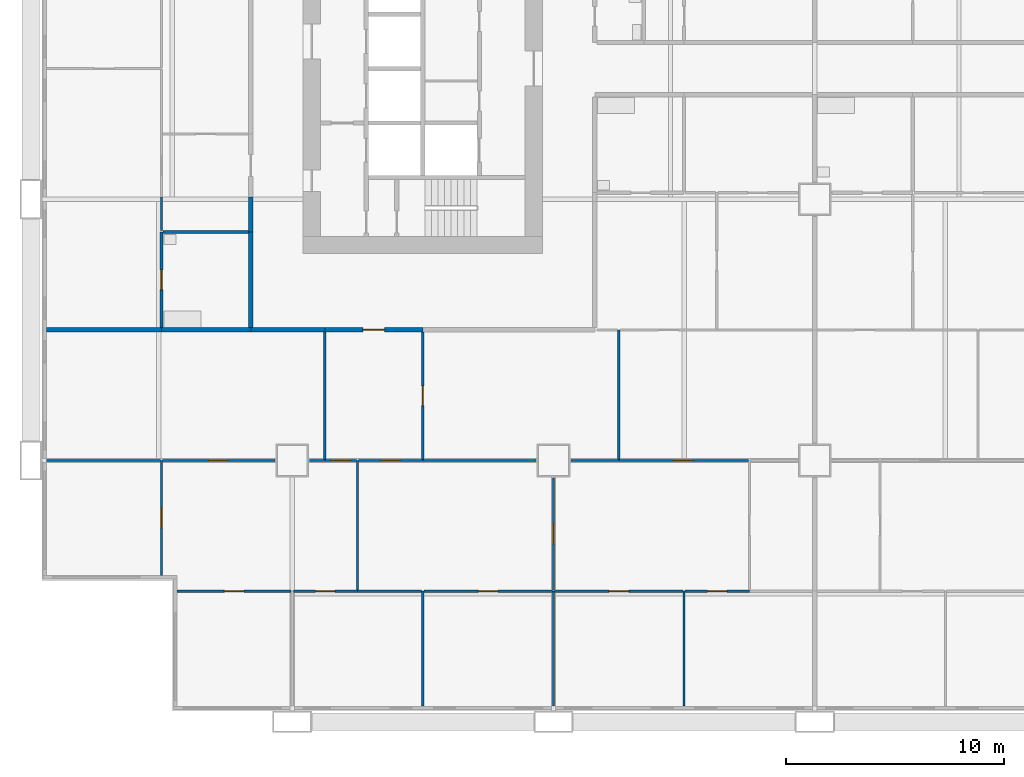
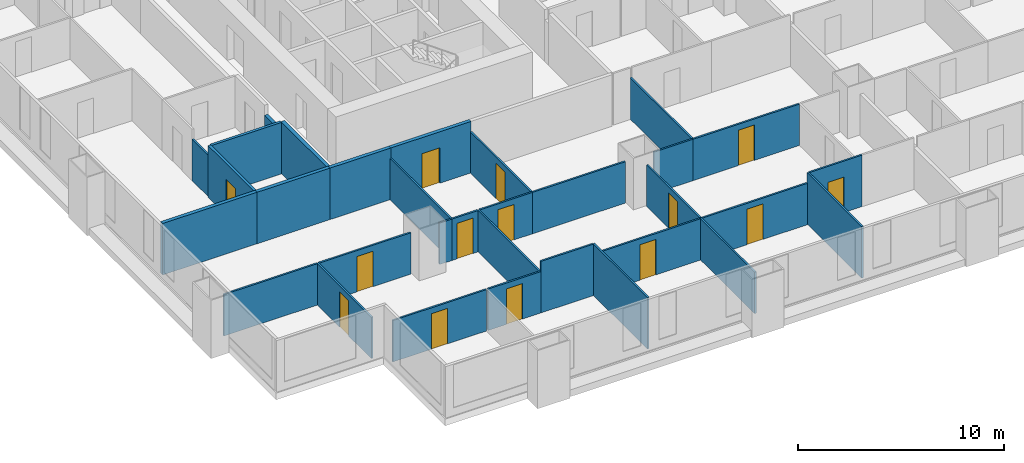
# One storey, part 2 of 14: 32 walls, 14 doors, 14 openings.
"""IFC4 building model written with IfcOpenShell, lengths in metres."""

from ifc_helpers import new_model, si_unit, direction, frame, frame_2d, origin, place, context, subcontext, project, spatial, rectangle, extrude, material, layer, layer_set, type_object, element, fill, save


model = new_model("IFC4")

# Units and contexts
model_context = context("Model", 3, precision=1e-05, world=origin(), true_north=direction((0.0, 1.0)))
body_context = subcontext(model_context, "Body", "Model", "MODEL_VIEW")
ifc_project = project(units=[si_unit("LENGTHUNIT", "METRE"), si_unit("AREAUNIT", "SQUARE_METRE"), si_unit("VOLUMEUNIT", "CUBIC_METRE"), si_unit("PLANEANGLEUNIT", "RADIAN"), si_unit("MASSUNIT", "GRAM", prefix="KILO")], contexts=[model_context])

# Site, building, storey
site_placement = place(None, origin())
site = spatial("IfcSite", under=ifc_project, at=site_placement, CompositionType="ELEMENT")
building_placement = place(site_placement, origin())
building = spatial("IfcBuilding", under=site, at=building_placement, Name="Kitamizu Gate Tower and Museum", CompositionType="ELEMENT")
storey_placement = place(building_placement, frame((0.0, 0.0, 33.449951171875)))
storey = spatial("IfcBuildingStorey", under=building, at=storey_placement, Name="L06", CompositionType="ELEMENT", Elevation=33.449951171875)

# Wall, opening, door
ifc_material_1 = material(Name="Gypsum board on galvanised stud")
ifc_layer_1 = layer(ifc_material_1, 0.10009765625)
ifc_layer_set_1 = layer_set([ifc_layer_1], Name="Gypsum board on galvanised stud")
wall_type_1 = type_object("IfcWallType", Name="Partition 100 NOT RATED", PredefinedType="PARTITIONING", material=ifc_layer_set_1)
wall_1_placement = place(storey_placement, frame((11.949951171875, 6.0, 0.0), z_axis=(0.0, 0.0, 1.0), x_axis=(-1.0, 0.0, 0.0)))
wall_1 = element("IfcWall", 1, at=wall_1_placement, inside=storey, type_object=wall_type_1, Name="Partition L06-002", PredefinedType="PARTITIONING", context=body_context, shape_type="SweptSolid", body=[
    extrude(rectangle(XDim=5.22998046875, YDim=0.10009765625, at=frame_2d((2.614990234375, 0.0))), origin(), (0.0, 0.0, 1.0), 2.449951171875),
])
opening_1_placement = place(wall_1_placement, frame((2.1650390625, 0.0, 0.0)))
opening_1 = element("IfcOpeningElement", 2, at=opening_1_placement, cuts=wall_1, Name="Opening L06-004", PredefinedType="OPENING", context=body_context, shape_type="SweptSolid", body=[
    extrude(rectangle(XDim=0.89990234375, YDim=2.10009765625, at=frame_2d((0.449951171875, 1.050048828125))), frame((0.0, 0.06005859375, 0.0), z_axis=(0.0, -1.0, 0.0), x_axis=(1.0, 0.0, 0.0)), (0.0, 0.0, 1.0), 0.1201171875),
])
ifc_material_2 = material(Name="Timber door set", Category="wood")
door_type_1 = type_object("IfcDoorType", Name="Room door 900", OperationType="NOTDEFINED", PredefinedType="DOOR", material=ifc_material_2)
door_1_placement = place(opening_1_placement, origin())
door_1 = element("IfcDoor", 3, at=door_1_placement, inside=storey, type_object=door_type_1, Name="Door L06-004", OperationType="SINGLE_SWING_LEFT", OverallHeight=2.10009765625, OverallWidth=0.89990234375, PredefinedType="DOOR", context=body_context, shape_type="SweptSolid", body=[
    extrude(rectangle(XDim=0.89990234375, YDim=2.10009765625, at=frame_2d((0.449951171875, 1.050048828125))), frame((0.0, 0.02490234375, 0.0), z_axis=(0.0, -1.0, 0.0), x_axis=(1.0, 0.0, 0.0)), (0.0, 0.0, 1.0), 0.050048828125),
])
fill(opening_1, door_1)

# Wall
wall_2_placement = place(storey_placement, frame((18.0, 0.719970703125, 0.0), z_axis=(0.0, 0.0, 1.0), x_axis=(0.0, 1.0, 0.0)))
element("IfcWall", 4, at=wall_2_placement, inside=storey, type_object=wall_type_1, Name="Partition L06-003", PredefinedType="PARTITIONING", context=body_context, shape_type="SweptSolid", body=[
    extrude(rectangle(XDim=5.280029296875, YDim=0.10009765625, at=frame_2d((2.64013671875, 0.0))), origin(), (0.0, 0.0, 1.0), 3.050048828125),
])

# Wall, opening, door
wall_3_placement = place(storey_placement, frame((15.0, 6.0, 0.0), z_axis=(0.0, 0.0, 1.0), x_axis=(-1.0, 0.0, 0.0)))
wall_3 = element("IfcWall", 5, at=wall_3_placement, inside=storey, type_object=wall_type_1, Name="Partition L06-004", PredefinedType="PARTITIONING", context=body_context, shape_type="SweptSolid", body=[
    extrude(rectangle(XDim=2.949951171875, YDim=0.10009765625, at=frame_2d((1.47509765625, 0.0))), origin(), (0.0, 0.0, 1.0), 2.449951171875),
])
opening_2_placement = place(wall_3_placement, frame((1.02490234375, 0.0, 0.0)))
opening_2 = element("IfcOpeningElement", 6, at=opening_2_placement, cuts=wall_3, Name="Opening L06-005", PredefinedType="OPENING", context=body_context, shape_type="SweptSolid", body=[
    extrude(rectangle(XDim=0.89990234375, YDim=2.10009765625, at=frame_2d((0.449951171875, 1.050048828125))), frame((0.0, 0.06005859375, 0.0), z_axis=(0.0, -1.0, 0.0), x_axis=(1.0, 0.0, 0.0)), (0.0, 0.0, 1.0), 0.1201171875),
])
door_2_placement = place(opening_2_placement, origin())
door_2 = element("IfcDoor", 7, at=door_2_placement, inside=storey, type_object=door_type_1, Name="Door L06-005", OperationType="SINGLE_SWING_LEFT", OverallHeight=2.10009765625, OverallWidth=0.89990234375, PredefinedType="DOOR", context=body_context, shape_type="SweptSolid", body=[
    extrude(rectangle(XDim=0.89990234375, YDim=2.10009765625, at=frame_2d((0.449951171875, 1.050048828125))), frame((0.0, 0.02490234375, 0.0), z_axis=(0.0, -1.0, 0.0), x_axis=(1.0, 0.0, 0.0)), (0.0, 0.0, 1.0), 0.050048828125),
])
fill(opening_2, door_2)

# Walls
wall_4_placement = place(storey_placement, frame((17.949951171875, 6.0, 0.0), z_axis=(0.0, 0.0, 1.0), x_axis=(-1.0, 0.0, 0.0)))
element("IfcWall", 8, at=wall_4_placement, inside=storey, type_object=wall_type_1, Name="Partition L06-005", PredefinedType="PARTITIONING", context=body_context, shape_type="SweptSolid", body=[
    extrude(rectangle(XDim=2.949951171875, YDim=0.10009765625, at=frame_2d((1.47509765625, 0.0))), origin(), (0.0, 0.0, 1.0), 3.050048828125),
])
wall_5_placement = place(storey_placement, frame((24.0, 0.719970703125, 0.0), z_axis=(0.0, 0.0, 1.0), x_axis=(0.0, 1.0, 0.0)))
element("IfcWall", 9, at=wall_5_placement, inside=storey, type_object=wall_type_1, Name="Partition L06-006", PredefinedType="PARTITIONING", context=body_context, shape_type="SweptSolid", body=[
    extrude(rectangle(XDim=5.280029296875, YDim=0.10009765625, at=frame_2d((2.64013671875, 0.0))), origin(), (0.0, 0.0, 1.0), 2.449951171875),
])

# Wall, opening, door
wall_6_placement = place(storey_placement, frame((23.949951171875, 6.0, 0.0), z_axis=(0.0, 0.0, 1.0), x_axis=(-1.0, 0.0, 0.0)))
wall_6 = element("IfcWall", 10, at=wall_6_placement, inside=storey, type_object=wall_type_1, Name="Partition L06-007", PredefinedType="PARTITIONING", context=body_context, shape_type="SweptSolid", body=[
    extrude(rectangle(XDim=5.89990234375, YDim=0.10009765625, at=frame_2d((2.949951171875, 0.0))), origin(), (0.0, 0.0, 1.0), 2.449951171875),
])
opening_3_placement = place(wall_6_placement, frame((2.5, 0.0, 0.0)))
opening_3 = element("IfcOpeningElement", 11, at=opening_3_placement, cuts=wall_6, Name="Opening L06-007", PredefinedType="OPENING", context=body_context, shape_type="SweptSolid", body=[
    extrude(rectangle(XDim=0.89990234375, YDim=2.10009765625, at=frame_2d((0.449951171875, 1.050048828125))), frame((0.0, 0.06005859375, 0.0), z_axis=(0.0, -1.0, 0.0), x_axis=(1.0, 0.0, 0.0)), (0.0, 0.0, 1.0), 0.1201171875),
])
door_3_placement = place(opening_3_placement, origin())
door_3 = element("IfcDoor", 12, at=door_3_placement, inside=storey, type_object=door_type_1, Name="Door L06-007", OperationType="SINGLE_SWING_LEFT", OverallHeight=2.10009765625, OverallWidth=0.89990234375, PredefinedType="DOOR", context=body_context, shape_type="SweptSolid", body=[
    extrude(rectangle(XDim=0.89990234375, YDim=2.10009765625, at=frame_2d((0.449951171875, 1.050048828125))), frame((0.0, 0.02490234375, 0.0), z_axis=(0.0, -1.0, 0.0), x_axis=(1.0, 0.0, 0.0)), (0.0, 0.0, 1.0), 0.050048828125),
])
fill(opening_3, door_3)

# Wall
wall_7_placement = place(storey_placement, frame((30.0, 0.719970703125, 0.0), z_axis=(0.0, 0.0, 1.0), x_axis=(0.0, 1.0, 0.0)))
element("IfcWall", 13, at=wall_7_placement, inside=storey, type_object=wall_type_1, Name="Partition L06-008", PredefinedType="PARTITIONING", context=body_context, shape_type="SweptSolid", body=[
    extrude(rectangle(XDim=5.280029296875, YDim=0.10009765625, at=frame_2d((2.64013671875, 0.0))), origin(), (0.0, 0.0, 1.0), 3.050048828125),
])

# Wall, opening, door
wall_8_placement = place(storey_placement, frame((29.949951171875, 6.0, 0.0), z_axis=(0.0, 0.0, 1.0), x_axis=(-1.0, 0.0, 0.0)))
wall_8 = element("IfcWall", 14, at=wall_8_placement, inside=storey, type_object=wall_type_1, Name="Partition L06-009", PredefinedType="PARTITIONING", context=body_context, shape_type="SweptSolid", body=[
    extrude(rectangle(XDim=5.89990234375, YDim=0.10009765625, at=frame_2d((2.949951171875, 0.0))), origin(), (0.0, 0.0, 1.0), 2.449951171875),
])
opening_4_placement = place(wall_8_placement, frame((2.5, 0.0, 0.0)))
opening_4 = element("IfcOpeningElement", 15, at=opening_4_placement, cuts=wall_8, Name="Opening L06-008", PredefinedType="OPENING", context=body_context, shape_type="SweptSolid", body=[
    extrude(rectangle(XDim=0.89990234375, YDim=2.10009765625, at=frame_2d((0.449951171875, 1.050048828125))), frame((0.0, 0.06005859375, 0.0), z_axis=(0.0, -1.0, 0.0), x_axis=(1.0, 0.0, 0.0)), (0.0, 0.0, 1.0), 0.1201171875),
])
door_4_placement = place(opening_4_placement, origin())
door_4 = element("IfcDoor", 16, at=door_4_placement, inside=storey, type_object=door_type_1, Name="Door L06-008", OperationType="SINGLE_SWING_RIGHT", OverallHeight=2.10009765625, OverallWidth=0.89990234375, PredefinedType="DOOR", context=body_context, shape_type="SweptSolid", body=[
    extrude(rectangle(XDim=0.89990234375, YDim=2.10009765625, at=frame_2d((0.449951171875, 1.050048828125))), frame((0.0, 0.02490234375, 0.0), z_axis=(0.0, -1.0, 0.0), x_axis=(1.0, 0.0, 0.0)), (0.0, 0.0, 1.0), 0.050048828125),
])
fill(opening_4, door_4)

wall_9_placement = place(storey_placement, frame((33.0, 6.0, 0.0), z_axis=(0.0, 0.0, 1.0), x_axis=(-1.0, 0.0, 0.0)))
wall_9 = element("IfcWall", 17, at=wall_9_placement, inside=storey, type_object=wall_type_1, Name="Partition L06-010", PredefinedType="PARTITIONING", context=body_context, shape_type="SweptSolid", body=[
    extrude(rectangle(XDim=2.949951171875, YDim=0.10009765625, at=frame_2d((1.47509765625, 0.0))), origin(), (0.0, 0.0, 1.0), 3.050048828125),
])
opening_5_placement = place(wall_9_placement, frame((1.02490234375, 0.0, 0.0)))
opening_5 = element("IfcOpeningElement", 18, at=opening_5_placement, cuts=wall_9, Name="Opening L06-009", PredefinedType="OPENING", context=body_context, shape_type="SweptSolid", body=[
    extrude(rectangle(XDim=0.89990234375, YDim=2.10009765625, at=frame_2d((0.449951171875, 1.050048828125))), frame((0.0, 0.06005859375, 0.0), z_axis=(0.0, -1.0, 0.0), x_axis=(1.0, 0.0, 0.0)), (0.0, 0.0, 1.0), 0.1201171875),
])
door_5_placement = place(opening_5_placement, origin())
door_5 = element("IfcDoor", 19, at=door_5_placement, inside=storey, type_object=door_type_1, Name="Door L06-009", OperationType="SINGLE_SWING_LEFT", OverallHeight=2.10009765625, OverallWidth=0.89990234375, PredefinedType="DOOR", context=body_context, shape_type="SweptSolid", body=[
    extrude(rectangle(XDim=0.89990234375, YDim=2.10009765625, at=frame_2d((0.449951171875, 1.050048828125))), frame((0.0, 0.02490234375, 0.0), z_axis=(0.0, -1.0, 0.0), x_axis=(1.0, 0.0, 0.0)), (0.0, 0.0, 1.0), 0.050048828125),
])
fill(opening_5, door_5)

wall_10_placement = place(storey_placement, frame((6.0, 6.719970703125, 0.0), z_axis=(0.0, 0.0, 1.0), x_axis=(0.0, 1.0, 0.0)))
wall_10 = element("IfcWall", 20, at=wall_10_placement, inside=storey, type_object=wall_type_1, Name="Partition L06-013", PredefinedType="PARTITIONING", context=body_context, shape_type="SweptSolid", body=[
    extrude(rectangle(XDim=5.280029296875, YDim=0.10009765625, at=frame_2d((2.64013671875, 0.0))), origin(), (0.0, 0.0, 1.0), 2.449951171875),
])
opening_6_placement = place(wall_10_placement, frame((2.18994140625, 0.0, 0.0)))
opening_6 = element("IfcOpeningElement", 21, at=opening_6_placement, cuts=wall_10, Name="Opening L06-010", PredefinedType="OPENING", context=body_context, shape_type="SweptSolid", body=[
    extrude(rectangle(XDim=0.89990234375, YDim=2.10009765625, at=frame_2d((0.449951171875, 1.050048828125))), frame((0.0, 0.06005859375, 0.0), z_axis=(0.0, -1.0, 0.0), x_axis=(1.0, 0.0, 0.0)), (0.0, 0.0, 1.0), 0.1201171875),
])
door_6_placement = place(opening_6_placement, origin())
door_6 = element("IfcDoor", 22, at=door_6_placement, inside=storey, type_object=door_type_1, Name="Door L06-010", OperationType="SINGLE_SWING_LEFT", OverallHeight=2.10009765625, OverallWidth=0.89990234375, PredefinedType="DOOR", context=body_context, shape_type="SweptSolid", body=[
    extrude(rectangle(XDim=0.89990234375, YDim=2.10009765625, at=frame_2d((0.449951171875, 1.050048828125))), frame((0.0, 0.02490234375, 0.0), z_axis=(0.0, -1.0, 0.0), x_axis=(1.0, 0.0, 0.0)), (0.0, 0.0, 1.0), 0.050048828125),
])
fill(opening_6, door_6)

# Walls
wall_11_placement = place(storey_placement, frame((5.949951171875, 12.0, 0.0), z_axis=(0.0, 0.0, 1.0), x_axis=(-1.0, 0.0, 0.0)))
element("IfcWall", 23, at=wall_11_placement, inside=storey, type_object=wall_type_1, Name="Partition L06-014", PredefinedType="PARTITIONING", context=body_context, shape_type="SweptSolid", body=[
    extrude(rectangle(XDim=5.22998046875, YDim=0.10009765625, at=frame_2d((2.614990234375, 0.0))), origin(), (0.0, 0.0, 1.0), 2.449951171875),
])
wall_12_placement = place(storey_placement, frame((15.0, 6.050048828125, 0.0), z_axis=(0.0, 0.0, 1.0), x_axis=(0.0, 1.0, 0.0)))
element("IfcWall", 24, at=wall_12_placement, inside=storey, type_object=wall_type_1, Name="Partition L06-015", PredefinedType="PARTITIONING", context=body_context, shape_type="SweptSolid", body=[
    extrude(rectangle(XDim=5.949951171875, YDim=0.10009765625, at=frame_2d((2.97509765625, 0.0))), origin(), (0.0, 0.0, 1.0), 2.449951171875),
])

# Wall, opening, door
wall_13_placement = place(storey_placement, frame((11.199951171875, 12.0, 0.0), z_axis=(0.0, 0.0, 1.0), x_axis=(-1.0, 0.0, 0.0)))
wall_13 = element("IfcWall", 25, at=wall_13_placement, inside=storey, type_object=wall_type_1, Name="Partition L06-016", PredefinedType="PARTITIONING", context=body_context, shape_type="SweptSolid", body=[
    extrude(rectangle(XDim=5.14990234375, YDim=0.10009765625, at=frame_2d((2.574951171875, 0.0))), origin(), (0.0, 0.0, 1.0), 2.449951171875),
])
opening_7_placement = place(wall_13_placement, frame((2.125, 0.0, 0.0)))
opening_7 = element("IfcOpeningElement", 26, at=opening_7_placement, cuts=wall_13, Name="Opening L06-012", PredefinedType="OPENING", context=body_context, shape_type="SweptSolid", body=[
    extrude(rectangle(XDim=0.89990234375, YDim=2.10009765625, at=frame_2d((0.449951171875, 1.050048828125))), frame((0.0, 0.06005859375, 0.0), z_axis=(0.0, -1.0, 0.0), x_axis=(1.0, 0.0, 0.0)), (0.0, 0.0, 1.0), 0.1201171875),
])
door_7_placement = place(opening_7_placement, frame((0.89990234375, 0.0, 0.0), x_axis=(-1.0, 0.0, 0.0)))
door_7 = element("IfcDoor", 27, at=door_7_placement, inside=storey, type_object=door_type_1, Name="Door L06-012", OperationType="SINGLE_SWING_RIGHT", OverallHeight=2.10009765625, OverallWidth=0.89990234375, PredefinedType="DOOR", context=body_context, shape_type="SweptSolid", body=[
    extrude(rectangle(XDim=0.89990234375, YDim=2.10009765625, at=frame_2d((0.449951171875, 1.050048828125))), frame((0.0, 0.02490234375, 0.0), z_axis=(0.0, -1.0, 0.0), x_axis=(1.0, 0.0, 0.0)), (0.0, 0.0, 1.0), 0.050048828125),
])
fill(opening_7, door_7)

# Wall
wall_14_placement = place(storey_placement, frame((13.5, 12.0, 0.0), z_axis=(0.0, 0.0, 1.0), x_axis=(-1.0, 0.0, 0.0)))
element("IfcWall", 28, at=wall_14_placement, inside=storey, type_object=wall_type_1, Name="Partition L06-017", PredefinedType="PARTITIONING", context=body_context, shape_type="SweptSolid", body=[
    extrude(rectangle(XDim=0.699951171875, YDim=0.10009765625, at=frame_2d((0.35009765625, 0.0))), origin(), (0.0, 0.0, 1.0), 2.449951171875),
])

# Wall, opening, door
wall_15_placement = place(storey_placement, frame((14.949951171875, 12.0, 0.0), z_axis=(0.0, 0.0, 1.0), x_axis=(-1.0, 0.0, 0.0)))
wall_15 = element("IfcWall", 29, at=wall_15_placement, inside=storey, type_object=wall_type_1, Name="Partition L06-018", PredefinedType="PARTITIONING", context=body_context, shape_type="SweptSolid", body=[
    extrude(rectangle(XDim=1.449951171875, YDim=0.10009765625, at=frame_2d((0.72509765625, 0.0))), origin(), (0.0, 0.0, 1.0), 2.449951171875),
])
opening_8_placement = place(wall_15_placement, frame((0.27490234375, 0.0, 0.0)))
opening_8 = element("IfcOpeningElement", 30, at=opening_8_placement, cuts=wall_15, Name="Opening L06-002", PredefinedType="OPENING", context=body_context, shape_type="SweptSolid", body=[
    extrude(rectangle(XDim=0.89990234375, YDim=2.10009765625, at=frame_2d((0.449951171875, 1.050048828125))), frame((0.0, 0.06005859375, 0.0), z_axis=(0.0, -1.0, 0.0), x_axis=(1.0, 0.0, 0.0)), (0.0, 0.0, 1.0), 0.1201171875),
])
door_8_placement = place(opening_8_placement, frame((0.89990234375, 0.0, 0.0), x_axis=(-1.0, 0.0, 0.0)))
door_8 = element("IfcDoor", 31, at=door_8_placement, inside=storey, type_object=door_type_1, Name="Door L06-002", OperationType="SINGLE_SWING_RIGHT", OverallHeight=2.10009765625, OverallWidth=0.89990234375, PredefinedType="DOOR", context=body_context, shape_type="SweptSolid", body=[
    extrude(rectangle(XDim=0.89990234375, YDim=2.10009765625, at=frame_2d((0.449951171875, 1.050048828125))), frame((0.0, 0.02490234375, 0.0), z_axis=(0.0, -1.0, 0.0), x_axis=(1.0, 0.0, 0.0)), (0.0, 0.0, 1.0), 0.050048828125),
])
fill(opening_8, door_8)

wall_16_placement = place(storey_placement, frame((24.0, 6.050048828125, 0.0), z_axis=(0.0, 0.0, 1.0), x_axis=(0.0, 1.0, 0.0)))
wall_16 = element("IfcWall", 32, at=wall_16_placement, inside=storey, type_object=wall_type_1, Name="Partition L06-019", PredefinedType="PARTITIONING", context=body_context, shape_type="SweptSolid", body=[
    extrude(rectangle(XDim=5.14990234375, YDim=0.10009765625, at=frame_2d((2.574951171875, 0.0))), origin(), (0.0, 0.0, 1.0), 2.449951171875),
])
opening_9_placement = place(wall_16_placement, frame((2.125, 0.0, 0.0)))
opening_9 = element("IfcOpeningElement", 33, at=opening_9_placement, cuts=wall_16, Name="Opening L06-006", PredefinedType="OPENING", context=body_context, shape_type="SweptSolid", body=[
    extrude(rectangle(XDim=0.89990234375, YDim=2.10009765625, at=frame_2d((0.449951171875, 1.050048828125))), frame((0.0, 0.06005859375, 0.0), z_axis=(0.0, -1.0, 0.0), x_axis=(1.0, 0.0, 0.0)), (0.0, 0.0, 1.0), 0.1201171875),
])
door_9_placement = place(opening_9_placement, origin())
door_9 = element("IfcDoor", 34, at=door_9_placement, inside=storey, type_object=door_type_1, Name="Door L06-006", OperationType="SINGLE_SWING_RIGHT", OverallHeight=2.10009765625, OverallWidth=0.89990234375, PredefinedType="DOOR", context=body_context, shape_type="SweptSolid", body=[
    extrude(rectangle(XDim=0.89990234375, YDim=2.10009765625, at=frame_2d((0.449951171875, 1.050048828125))), frame((0.0, 0.02490234375, 0.0), z_axis=(0.0, -1.0, 0.0), x_axis=(1.0, 0.0, 0.0)), (0.0, 0.0, 1.0), 0.050048828125),
])
fill(opening_9, door_9)

wall_17_placement = place(storey_placement, frame((18.0, 12.0, 0.0), z_axis=(0.0, 0.0, 1.0), x_axis=(-1.0, 0.0, 0.0)))
wall_17 = element("IfcWall", 35, at=wall_17_placement, inside=storey, type_object=wall_type_1, Name="Partition L06-020", PredefinedType="PARTITIONING", context=body_context, shape_type="SweptSolid", body=[
    extrude(rectangle(XDim=2.949951171875, YDim=0.10009765625, at=frame_2d((1.47509765625, 0.0))), origin(), (0.0, 0.0, 1.0), 2.449951171875),
])
opening_10_placement = place(wall_17_placement, frame((1.02490234375, 0.0, 0.0)))
opening_10 = element("IfcOpeningElement", 36, at=opening_10_placement, cuts=wall_17, Name="Opening L06-003", PredefinedType="OPENING", context=body_context, shape_type="SweptSolid", body=[
    extrude(rectangle(XDim=0.89990234375, YDim=2.10009765625, at=frame_2d((0.449951171875, 1.050048828125))), frame((0.0, 0.06005859375, 0.0), z_axis=(0.0, -1.0, 0.0), x_axis=(1.0, 0.0, 0.0)), (0.0, 0.0, 1.0), 0.1201171875),
])
door_10_placement = place(opening_10_placement, origin())
door_10 = element("IfcDoor", 37, at=door_10_placement, inside=storey, type_object=door_type_1, Name="Door L06-003", OperationType="SINGLE_SWING_LEFT", OverallHeight=2.10009765625, OverallWidth=0.89990234375, PredefinedType="DOOR", context=body_context, shape_type="SweptSolid", body=[
    extrude(rectangle(XDim=0.89990234375, YDim=2.10009765625, at=frame_2d((0.449951171875, 1.050048828125))), frame((0.0, 0.02490234375, 0.0), z_axis=(0.0, -1.0, 0.0), x_axis=(1.0, 0.0, 0.0)), (0.0, 0.0, 1.0), 0.050048828125),
])
fill(opening_10, door_10)

# Walls
wall_18_placement = place(storey_placement, frame((23.199951171875, 12.0, 0.0), z_axis=(0.0, 0.0, 1.0), x_axis=(-1.0, 0.0, 0.0)))
element("IfcWall", 38, at=wall_18_placement, inside=storey, type_object=wall_type_1, Name="Partition L06-021", PredefinedType="PARTITIONING", context=body_context, shape_type="SweptSolid", body=[
    extrude(rectangle(XDim=5.199951171875, YDim=0.10009765625, at=frame_2d((2.60009765625, 0.0))), origin(), (0.0, 0.0, 1.0), 2.449951171875),
])
wall_19_placement = place(storey_placement, frame((27.0, 12.0, 0.0), z_axis=(0.0, 0.0, 1.0), x_axis=(-1.0, 0.0, 0.0)))
element("IfcWall", 39, at=wall_19_placement, inside=storey, type_object=wall_type_1, Name="Partition L06-023", PredefinedType="PARTITIONING", context=body_context, shape_type="SweptSolid", body=[
    extrude(rectangle(XDim=2.199951171875, YDim=0.10009765625, at=frame_2d((1.10009765625, 0.0))), origin(), (0.0, 0.0, 1.0), 2.449951171875),
])

# Wall, opening, door
wall_20_placement = place(storey_placement, frame((32.949951171875, 12.0, 0.0), z_axis=(0.0, 0.0, 1.0), x_axis=(-1.0, 0.0, 0.0)))
wall_20 = element("IfcWall", 40, at=wall_20_placement, inside=storey, type_object=wall_type_1, Name="Partition L06-024", PredefinedType="PARTITIONING", context=body_context, shape_type="SweptSolid", body=[
    extrude(rectangle(XDim=5.949951171875, YDim=0.10009765625, at=frame_2d((2.97509765625, 0.0))), origin(), (0.0, 0.0, 1.0), 2.449951171875),
])
opening_11_placement = place(wall_20_placement, frame((2.52490234375, 0.0, 0.0)))
opening_11 = element("IfcOpeningElement", 41, at=opening_11_placement, cuts=wall_20, Name="Opening L06-014", PredefinedType="OPENING", context=body_context, shape_type="SweptSolid", body=[
    extrude(rectangle(XDim=0.89990234375, YDim=2.10009765625, at=frame_2d((0.449951171875, 1.050048828125))), frame((0.0, 0.06005859375, 0.0), z_axis=(0.0, -1.0, 0.0), x_axis=(1.0, 0.0, 0.0)), (0.0, 0.0, 1.0), 0.1201171875),
])
door_11_placement = place(opening_11_placement, origin())
door_11 = element("IfcDoor", 42, at=door_11_placement, inside=storey, type_object=door_type_1, Name="Door L06-014", OperationType="SINGLE_SWING_LEFT", OverallHeight=2.10009765625, OverallWidth=0.89990234375, PredefinedType="DOOR", context=body_context, shape_type="SweptSolid", body=[
    extrude(rectangle(XDim=0.89990234375, YDim=2.10009765625, at=frame_2d((0.449951171875, 1.050048828125))), frame((0.0, 0.02490234375, 0.0), z_axis=(0.0, -1.0, 0.0), x_axis=(1.0, 0.0, 0.0)), (0.0, 0.0, 1.0), 0.050048828125),
])
fill(opening_11, door_11)

# Wall
wall_21_placement = place(storey_placement, frame((13.5, 12.050048828125, 0.0), z_axis=(0.0, 0.0, 1.0), x_axis=(0.0, 1.0, 0.0)))
element("IfcWall", 43, at=wall_21_placement, inside=storey, type_object=wall_type_1, Name="Partition L06-027", PredefinedType="PARTITIONING", context=body_context, shape_type="SweptSolid", body=[
    extrude(rectangle(XDim=5.849853515625, YDim=0.10009765625, at=frame_2d((2.9248046875, 0.0))), origin(), (0.0, 0.0, 1.0), 2.449951171875),
])

# Wall, opening, door
wall_22_placement = place(storey_placement, frame((18.0, 12.050048828125, 0.0), z_axis=(0.0, 0.0, 1.0), x_axis=(0.0, 1.0, 0.0)))
wall_22 = element("IfcWall", 44, at=wall_22_placement, inside=storey, type_object=wall_type_1, Name="Partition L06-031", PredefinedType="PARTITIONING", context=body_context, shape_type="SweptSolid", body=[
    extrude(rectangle(XDim=5.849853515625, YDim=0.10009765625, at=frame_2d((2.9248046875, 0.0))), origin(), (0.0, 0.0, 1.0), 2.449951171875),
])
opening_12_placement = place(wall_22_placement, frame((2.47509765625, 0.0, 0.0)))
opening_12 = element("IfcOpeningElement", 45, at=opening_12_placement, cuts=wall_22, Name="Opening L06-013", PredefinedType="OPENING", context=body_context, shape_type="SweptSolid", body=[
    extrude(rectangle(XDim=0.89990234375, YDim=2.10009765625, at=frame_2d((0.449951171875, 1.050048828125))), frame((0.0, 0.06005859375, 0.0), z_axis=(0.0, -1.0, 0.0), x_axis=(1.0, 0.0, 0.0)), (0.0, 0.0, 1.0), 0.1201171875),
])
door_12_placement = place(opening_12_placement, frame((0.89990234375, 0.0, 0.0), x_axis=(-1.0, 0.0, 0.0)))
door_12 = element("IfcDoor", 46, at=door_12_placement, inside=storey, type_object=door_type_1, Name="Door L06-013", OperationType="SINGLE_SWING_LEFT", OverallHeight=2.10009765625, OverallWidth=0.89990234375, PredefinedType="DOOR", context=body_context, shape_type="SweptSolid", body=[
    extrude(rectangle(XDim=0.89990234375, YDim=2.10009765625, at=frame_2d((0.449951171875, 1.050048828125))), frame((0.0, 0.02490234375, 0.0), z_axis=(0.0, -1.0, 0.0), x_axis=(1.0, 0.0, 0.0)), (0.0, 0.0, 1.0), 0.050048828125),
])
fill(opening_12, door_12)

# Walls
wall_23_placement = place(storey_placement, frame((27.0, 12.050048828125, 0.0), z_axis=(0.0, 0.0, 1.0), x_axis=(0.0, 1.0, 0.0)))
element("IfcWall", 47, at=wall_23_placement, inside=storey, type_object=wall_type_1, Name="Partition L06-033", PredefinedType="PARTITIONING", context=body_context, shape_type="SweptSolid", body=[
    extrude(rectangle(XDim=5.949951171875, YDim=0.10009765625, at=frame_2d((2.97509765625, 0.0))), origin(), (0.0, 0.0, 1.0), 2.449951171875),
])
wall_24_placement = place(storey_placement, frame((6.0, 22.574951171875, 0.0), z_axis=(0.0, 0.0, 1.0), x_axis=(0.0, 1.0, 0.0)))
element("IfcWall", 48, at=wall_24_placement, inside=storey, type_object=wall_type_1, Name="Partition L06-053", PredefinedType="PARTITIONING", context=body_context, shape_type="SweptSolid", body=[
    extrude(rectangle(XDim=1.525146484375, YDim=0.10009765625, at=frame_2d((0.7626953125, 0.0))), origin(), (0.0, 0.0, 1.0), 2.449951171875),
])

# Wall, opening, door
ifc_material_3 = material(Name="Gypsum board on galvanised stud")
ifc_layer_2 = layer(ifc_material_3, 0.14990234375)
ifc_layer_set_2 = layer_set([ifc_layer_2], Name="Gypsum board on galvanised stud")
wall_type_2 = type_object("IfcWallType", Name="Partition 150", PredefinedType="PARTITIONING", material=ifc_layer_set_2)
wall_25_placement = place(storey_placement, frame((6.0, 18.10009765625, 0.0), z_axis=(0.0, 0.0, 1.0), x_axis=(0.0, 1.0, 0.0)))
wall_25 = element("IfcWall", 49, at=wall_25_placement, inside=storey, type_object=wall_type_2, Name="Partition L06-052", PredefinedType="PARTITIONING", context=body_context, shape_type="SweptSolid", body=[
    extrude(rectangle(XDim=4.39990234375, YDim=0.14990234375, at=frame_2d((2.199951171875, 0.0))), origin(), (0.0, 0.0, 1.0), 3.050048828125),
])
opening_13_placement = place(wall_25_placement, frame((1.75, 0.0, 0.0)))
opening_13 = element("IfcOpeningElement", 50, at=opening_13_placement, cuts=wall_25, Name="Opening L06-024", PredefinedType="OPENING", context=body_context, shape_type="SweptSolid", body=[
    extrude(rectangle(XDim=0.89990234375, YDim=2.10009765625, at=frame_2d((0.449951171875, 1.050048828125))), frame((0.0, 0.0849609375, 0.0), z_axis=(0.0, -1.0, 0.0), x_axis=(1.0, 0.0, 0.0)), (0.0, 0.0, 1.0), 0.169921875),
])
ifc_material_4 = material(Name="Timber door set", Category="wood")
door_type_2 = type_object("IfcDoorType", Name="Bathroom door 900", OperationType="NOTDEFINED", PredefinedType="DOOR", material=ifc_material_4)
door_13_placement = place(opening_13_placement, frame((0.89990234375, 0.0, 0.0), x_axis=(-1.0, 0.0, 0.0)))
door_13 = element("IfcDoor", 51, at=door_13_placement, inside=storey, type_object=door_type_2, Name="Bathroom door L06-024", OperationType="SINGLE_SWING_RIGHT", OverallHeight=2.10009765625, OverallWidth=0.89990234375, PredefinedType="DOOR", context=body_context, shape_type="SweptSolid", body=[
    extrude(rectangle(XDim=0.89990234375, YDim=2.10009765625, at=frame_2d((0.449951171875, 1.050048828125))), frame((0.0, 0.02490234375, 0.0), z_axis=(0.0, -1.0, 0.0), x_axis=(1.0, 0.0, 0.0)), (0.0, 0.0, 1.0), 0.050048828125),
])
fill(opening_13, door_13)

# Walls
wall_26_placement = place(storey_placement, frame((10.0, 22.5, 0.0), z_axis=(0.0, 0.0, 1.0), x_axis=(-1.0, 0.0, 0.0)))
element("IfcWall", 52, at=wall_26_placement, inside=storey, type_object=wall_type_2, Name="Partition L06-060", PredefinedType="PARTITIONING", context=body_context, shape_type="SweptSolid", body=[
    extrude(rectangle(XDim=3.925048828125, YDim=0.14990234375, at=frame_2d((1.96240234375, 0.0))), origin(), (0.0, 0.0, 1.0), 3.050048828125),
])
ifc_material_5 = material(Name="Gypsum board on galvanised stud")
ifc_layer_3 = layer(ifc_material_5, 0.199951171875)
ifc_layer_set_3 = layer_set([ifc_layer_3], Name="Gypsum board on galvanised stud")
wall_type_3 = type_object("IfcWallType", Name="Partition 200", PredefinedType="PARTITIONING", material=ifc_layer_set_3)
wall_27_placement = place(storey_placement, frame((6.0, 18.0, 0.0), z_axis=(0.0, 0.0, 1.0), x_axis=(-1.0, 0.0, 0.0)))
element("IfcWall", 53, at=wall_27_placement, inside=storey, type_object=wall_type_3, Name="Partition L06-028", PredefinedType="PARTITIONING", context=body_context, shape_type="SweptSolid", body=[
    extrude(rectangle(XDim=5.280029296875, YDim=0.199951171875, at=frame_2d((2.64013671875, 0.0))), origin(), (0.0, 0.0, 1.0), 3.050048828125),
])
wall_28_placement = place(storey_placement, frame((10.10009765625, 18.0, 0.0), z_axis=(0.0, 0.0, 1.0), x_axis=(-1.0, 0.0, 0.0)))
element("IfcWall", 54, at=wall_28_placement, inside=storey, type_object=wall_type_3, Name="Partition L06-029", PredefinedType="PARTITIONING", context=body_context, shape_type="SweptSolid", body=[
    extrude(rectangle(XDim=4.10009765625, YDim=0.199951171875, at=frame_2d((2.050048828125, 0.0))), origin(), (0.0, 0.0, 1.0), 3.050048828125),
])
wall_29_placement = place(storey_placement, frame((13.5, 18.0, 0.0), z_axis=(0.0, 0.0, 1.0), x_axis=(-1.0, 0.0, 0.0)))
element("IfcWall", 55, at=wall_29_placement, inside=storey, type_object=wall_type_3, Name="Partition L06-030", PredefinedType="PARTITIONING", context=body_context, shape_type="SweptSolid", body=[
    extrude(rectangle(XDim=3.39990234375, YDim=0.199951171875, at=frame_2d((1.699951171875, 0.0))), origin(), (0.0, 0.0, 1.0), 3.050048828125),
])

# Wall, opening, door
wall_30_placement = place(storey_placement, frame((18.0, 18.0, 0.0), z_axis=(0.0, 0.0, 1.0), x_axis=(-1.0, 0.0, 0.0)))
wall_30 = element("IfcWall", 56, at=wall_30_placement, inside=storey, type_object=wall_type_3, Name="Partition L06-032", PredefinedType="PARTITIONING", context=body_context, shape_type="SweptSolid", body=[
    extrude(rectangle(XDim=4.5, YDim=0.199951171875, at=frame_2d((2.25, 0.0))), origin(), (0.0, 0.0, 1.0), 3.050048828125),
])
opening_14_placement = place(wall_30_placement, frame((1.75, 0.0, 0.0)))
opening_14 = element("IfcOpeningElement", 57, at=opening_14_placement, cuts=wall_30, Name="Opening L06-001", PredefinedType="OPENING", context=body_context, shape_type="SweptSolid", body=[
    extrude(rectangle(XDim=1.0, YDim=2.10009765625, at=frame_2d((0.5, 1.050048828125))), frame((0.0, 0.10986328125, 0.0), z_axis=(0.0, -1.0, 0.0), x_axis=(1.0, 0.0, 0.0)), (0.0, 0.0, 1.0), 0.219970703125),
])
ifc_material_6 = material(Name="Timber door set", Category="wood")
door_type_3 = type_object("IfcDoorType", Name="Flat entrance door 1000", OperationType="NOTDEFINED", PredefinedType="DOOR", material=ifc_material_6)
door_14_placement = place(opening_14_placement, origin())
door_14 = element("IfcDoor", 58, at=door_14_placement, inside=storey, type_object=door_type_3, Name="Flat entrance door L06-001", OperationType="SINGLE_SWING_RIGHT", OverallHeight=2.10009765625, OverallWidth=1.0, PredefinedType="DOOR", context=body_context, shape_type="SweptSolid", body=[
    extrude(rectangle(XDim=1.0, YDim=2.10009765625, at=frame_2d((0.5, 1.050048828125))), frame((0.0, 0.02490234375, 0.0), z_axis=(0.0, -1.0, 0.0), x_axis=(1.0, 0.0, 0.0)), (0.0, 0.0, 1.0), 0.050048828125),
])
fill(opening_14, door_14)

# Walls
wall_31_placement = place(storey_placement, frame((10.10009765625, 18.10009765625, 0.0), z_axis=(0.0, 0.0, 1.0), x_axis=(0.0, 1.0, 0.0)))
element("IfcWall", 59, at=wall_31_placement, inside=storey, type_object=wall_type_3, Name="Partition L06-061", PredefinedType="PARTITIONING", context=body_context, shape_type="SweptSolid", body=[
    extrude(rectangle(XDim=4.39990234375, YDim=0.199951171875, at=frame_2d((2.199951171875, 0.0))), origin(), (0.0, 0.0, 1.0), 3.050048828125),
])
wall_32_placement = place(storey_placement, frame((10.10009765625, 22.5, 0.0), z_axis=(0.0, 0.0, 1.0), x_axis=(0.0, 1.0, 0.0)))
element("IfcWall", 60, at=wall_32_placement, inside=storey, type_object=wall_type_3, Name="Partition L06-063", PredefinedType="PARTITIONING", context=body_context, shape_type="SweptSolid", body=[
    extrude(rectangle(XDim=1.60009765625, YDim=0.199951171875, at=frame_2d((0.800048828125, 0.0))), origin(), (0.0, 0.0, 1.0), 2.449951171875),
])

save(model, "model.ifc")
